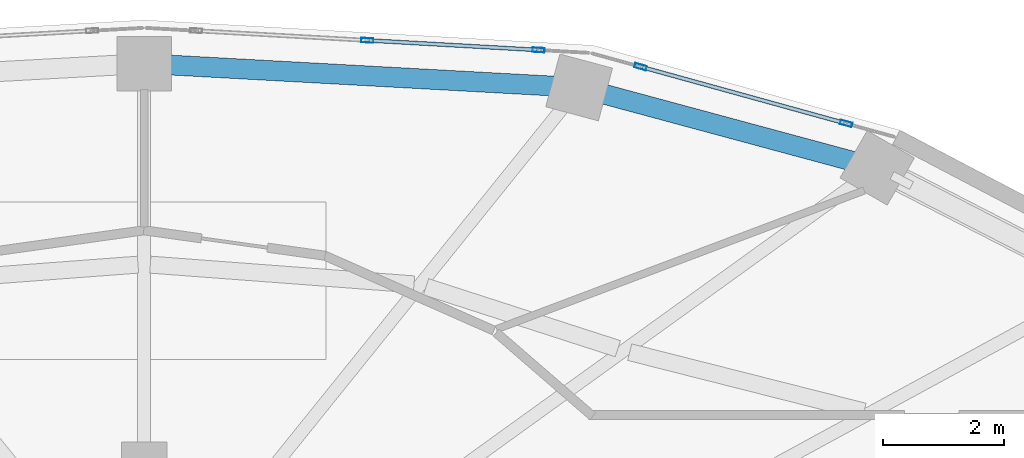
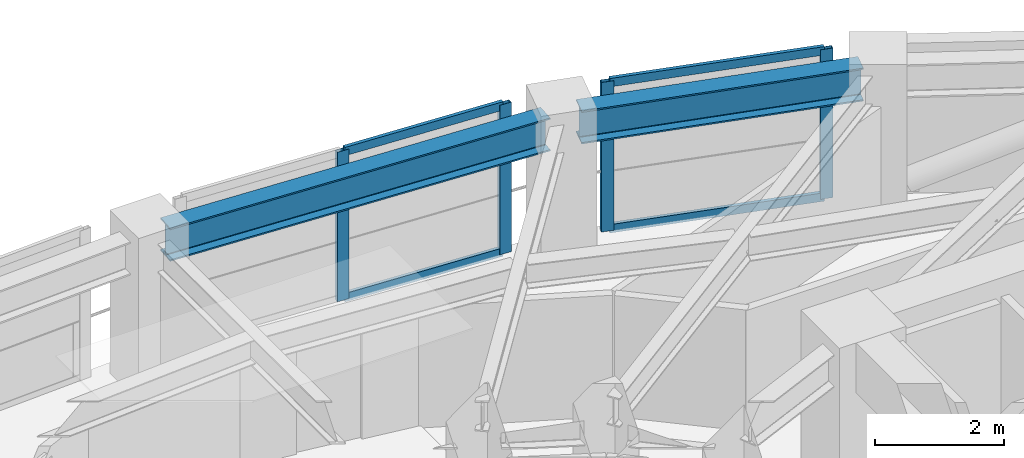
# One storey, part 12 of 20: 8 members, 2 beams, 2 elements without a shape of their own.
"""IFC4 building model written with IfcOpenShell, lengths in metres."""

from ifc_helpers import new_model, si_unit, direction, frame, origin, origin_2d, place, context, subcontext, project, spatial, hollow_rectangle, i_section, extrude, material, layer, layer_set, material_profile, profile_set, type_object, element, aggregate, save


model = new_model("IFC4")

# Units and contexts
model_context = context("Model", 3, precision=1e-05, world=origin(), true_north=direction((0.0, 1.0)))
body_context = subcontext(model_context, "Body", "Model", "MODEL_VIEW")
ifc_project = project(units=[si_unit("LENGTHUNIT", "METRE"), si_unit("AREAUNIT", "SQUARE_METRE"), si_unit("VOLUMEUNIT", "CUBIC_METRE"), si_unit("PLANEANGLEUNIT", "RADIAN"), si_unit("MASSUNIT", "GRAM", prefix="KILO")], contexts=[model_context])

# Site, building, storey
site_placement = place(None, origin())
site = spatial("IfcSite", under=ifc_project, at=site_placement, CompositionType="ELEMENT")
building_placement = place(site_placement, origin())
building = spatial("IfcBuilding", under=site, at=building_placement, Name="Solvane Sanctuary Tower", CompositionType="ELEMENT")
storey_placement = place(building_placement, frame((0.0, 0.0, 137.39990234375)))
storey = spatial("IfcBuildingStorey", under=building, at=storey_placement, Name="L41", CompositionType="ELEMENT", Elevation=137.39990234375)

# Beams
ifc_material_1 = material(Name="Steel ASTM A992 Grade 50", Category="steel")
ifc_material_profile_1 = material_profile(ifc_material_1, i_section(OverallWidth=0.327880859375, OverallDepth=0.6279296875, WebThickness=0.0166015625, FlangeThickness=0.027587890625, FilletRadius=0.01611328125, at=origin_2d()), Name="W24X146")
ifc_profile_set_1 = profile_set([ifc_material_profile_1], Name="Steel ASTM A992 Grade 50")
beam_type = type_object("IfcBeamType", Name="Beam B-SPAND-Z3 W24X146", PredefinedType="SPANDREL", material=ifc_profile_set_1)
beam_1_placement = place(storey_placement, frame((32.279541015625, 38.064697265625, 2.564208984375), z_axis=(0.998501325362, -0.054727536496, 0.0), x_axis=(0.054727536496, 0.998501325362, 0.0)))
element("IfcBeam", 1, at=beam_1_placement, inside=storey, type_object=beam_type, Name="L41 Perimeter Spandrel Beam TC04-TC03", PredefinedType="SPANDREL", context=body_context, shape_type="SweptSolid", body=[
    extrude(i_section(OverallWidth=0.327880859375, OverallDepth=0.6279296875, WebThickness=0.0166015625, FlangeThickness=0.027587890625, FilletRadius=0.01611328125, at=origin_2d()), origin(), (0.0, 0.0, 1.0), 6.629150390625),
])
beam_2_placement = place(storey_placement, frame((39.448486328125, 37.61376953125, 2.564208984375), z_axis=(0.965473224565, -0.260502308334, 0.0), x_axis=(0.260502308334, 0.965473224565, 0.0)))
element("IfcBeam", 2, at=beam_2_placement, inside=storey, type_object=beam_type, Name="L41 Perimeter Spandrel Beam TC03-TC02", PredefinedType="SPANDREL", context=body_context, shape_type="SweptSolid", body=[
    extrude(i_section(OverallWidth=0.327880859375, OverallDepth=0.6279296875, WebThickness=0.0166015625, FlangeThickness=0.027587890625, FilletRadius=0.01611328125, at=origin_2d()), origin(), (0.0, 0.0, 1.0), 4.535888671875),
])

# Curtain wall, members
ifc_material_2 = material(Name="Anodised Aluminium 6063-T6", Category="aluminium")
ifc_layer = layer(ifc_material_2, 0.18994140625, Name="Anodised Aluminium 6063-T6")
ifc_layer_set = layer_set([ifc_layer], Name="Anodised Aluminium 6063-T6")
curtain_wall_type = type_object("IfcCurtainWallType", Name="Curtain Wall CW-OPER", PredefinedType="NOTDEFINED", material=ifc_layer_set)
curtain_wall_1_placement = place(storey_placement, origin())
curtain_wall_1 = element("IfcCurtainWall", 3, at=curtain_wall_1_placement, inside=storey, type_object=curtain_wall_type, Name="L41 CW-OPER Facade Run 04", PredefinedType="NOTDEFINED")
ifc_material_profile_2 = material_profile(ifc_material_2, hollow_rectangle(XDim=0.074951171875, YDim=0.199951171875, WallThickness=0.00390625, at=origin_2d()), Name="ALU200X75X4")
ifc_profile_set_2 = profile_set([ifc_material_profile_2], Name="Anodised Aluminium 6063-T6")
member_type_1 = type_object("IfcMemberType", Name="Member M-CW-MUL-1 ALU200X75X4", PredefinedType="MULLION", material=ifc_profile_set_2)
member_1_placement = place(storey_placement, frame((43.586669921875, 37.091552734375, 0.0), z_axis=(0.0, 0.0, 1.0), x_axis=(-0.266021653965, -0.963967053183, 0.0)))
member_1 = element("IfcMember", 4, at=member_1_placement, type_object=member_type_1, Name="CW-OPER mullion 1", PredefinedType="MULLION", context=body_context, shape_type="SweptSolid", body=[
    extrude(hollow_rectangle(XDim=0.074951171875, YDim=0.199951171875, WallThickness=0.00390625, at=origin_2d()), origin(), (0.0, 0.0, 1.0), 2.840087890625),
])
member_2_placement = place(storey_placement, frame((40.191650390625, 38.0283203125, 0.0), z_axis=(0.0, 0.0, 1.0), x_axis=(-0.266021653965, -0.963967053183, 0.0)))
member_2 = element("IfcMember", 5, at=member_2_placement, type_object=member_type_1, Name="CW-OPER mullion 2", PredefinedType="MULLION", context=body_context, shape_type="SweptSolid", body=[
    extrude(hollow_rectangle(XDim=0.074951171875, YDim=0.199951171875, WallThickness=0.00390625, at=origin_2d()), origin(), (0.0, 0.0, 1.0), 2.840087890625),
])

curtain_wall_2_placement = place(storey_placement, origin())
curtain_wall_2 = element("IfcCurtainWall", 6, at=curtain_wall_2_placement, inside=storey, type_object=curtain_wall_type, Name="L41 CW-OPER Facade Run 05", PredefinedType="NOTDEFINED")
member_3_placement = place(storey_placement, frame((38.509033203125, 38.3046875, 0.0), z_axis=(0.0, 0.0, 1.0), x_axis=(-0.05623268046, -0.998417690973, 0.0)))
member_3 = element("IfcMember", 7, at=member_3_placement, type_object=member_type_1, Name="CW-OPER mullion 1", PredefinedType="MULLION", context=body_context, shape_type="SweptSolid", body=[
    extrude(hollow_rectangle(XDim=0.074951171875, YDim=0.199951171875, WallThickness=0.00390625, at=origin_2d()), origin(), (0.0, 0.0, 1.0), 2.840087890625),
])
member_4_placement = place(storey_placement, frame((35.6826171875, 38.464111328125, 0.0), z_axis=(0.0, 0.0, 1.0), x_axis=(-0.05623268046, -0.998417690973, 0.0)))
member_4 = element("IfcMember", 8, at=member_4_placement, type_object=member_type_1, Name="CW-OPER mullion 2", PredefinedType="MULLION", context=body_context, shape_type="SweptSolid", body=[
    extrude(hollow_rectangle(XDim=0.074951171875, YDim=0.199951171875, WallThickness=0.00390625, at=origin_2d()), origin(), (0.0, 0.0, 1.0), 2.840087890625),
])

# Member
ifc_material_profile_3 = material_profile(ifc_material_2, hollow_rectangle(XDim=0.06494140625, YDim=0.159912109375, WallThickness=0.00341796875, at=origin_2d()), Name="ALU160X65X3.5")
ifc_profile_set_3 = profile_set([ifc_material_profile_3], Name="Anodised Aluminium 6063-T6")
member_type_2 = type_object("IfcMemberType", Name="Member M-CW-TRN-1 ALU160X65X3.5", PredefinedType="USERDEFINED", material=ifc_profile_set_3)
member_5_placement = place(storey_placement, frame((43.55029296875, 37.1015625, 0.03271484375), z_axis=(-0.963960051492, 0.266047024278, 0.0), x_axis=(-0.266047024278, -0.963960051492, 0.0)))
member_5 = element("IfcMember", 9, at=member_5_placement, type_object=member_type_2, Name="CW-OPER transom 1.1", ObjectType="TRANSOM", PredefinedType="USERDEFINED", context=body_context, shape_type="SweptSolid", body=[
    extrude(hollow_rectangle(XDim=0.06494140625, YDim=0.159912109375, WallThickness=0.00341796875, at=origin_2d()), origin(), (0.0, 0.0, 1.0), 3.44677734375),
])

member_6_placement = place(storey_placement, frame((43.55029296875, 37.1015625, 2.8076171875), z_axis=(-0.963960051492, 0.266047024278, 0.0), x_axis=(-0.266047024278, -0.963960051492, 0.0)))
member_6 = element("IfcMember", 10, at=member_6_placement, type_object=member_type_2, Name="CW-OPER transom 1.2", ObjectType="TRANSOM", PredefinedType="USERDEFINED", context=body_context, shape_type="SweptSolid", body=[
    extrude(hollow_rectangle(XDim=0.06494140625, YDim=0.159912109375, WallThickness=0.00341796875, at=origin_2d()), origin(), (0.0, 0.0, 1.0), 3.44677734375),
])

aggregate(curtain_wall_1, [member_1, member_2, member_5, member_6])

member_7_placement = place(storey_placement, frame((38.4716796875, 38.306884765625, 0.03271484375), z_axis=(-0.998416711048, 0.056250076437, 0.0), x_axis=(-0.056250076437, -0.998416711048, 0.0)))
member_7 = element("IfcMember", 11, at=member_7_placement, type_object=member_type_2, Name="CW-OPER transom 1.1", ObjectType="TRANSOM", PredefinedType="USERDEFINED", context=body_context, shape_type="SweptSolid", body=[
    extrude(hollow_rectangle(XDim=0.06494140625, YDim=0.159912109375, WallThickness=0.00341796875, at=origin_2d()), origin(), (0.0, 0.0, 1.0), 2.756103515625),
])

member_8_placement = place(storey_placement, frame((38.4716796875, 38.306884765625, 2.8076171875), z_axis=(-0.998416711048, 0.056250076437, 0.0), x_axis=(-0.056250076437, -0.998416711048, 0.0)))
member_8 = element("IfcMember", 12, at=member_8_placement, type_object=member_type_2, Name="CW-OPER transom 1.2", ObjectType="TRANSOM", PredefinedType="USERDEFINED", context=body_context, shape_type="SweptSolid", body=[
    extrude(hollow_rectangle(XDim=0.06494140625, YDim=0.159912109375, WallThickness=0.00341796875, at=origin_2d()), origin(), (0.0, 0.0, 1.0), 2.756103515625),
])

aggregate(curtain_wall_2, [member_3, member_4, member_7, member_8])

save(model, "model.ifc")
